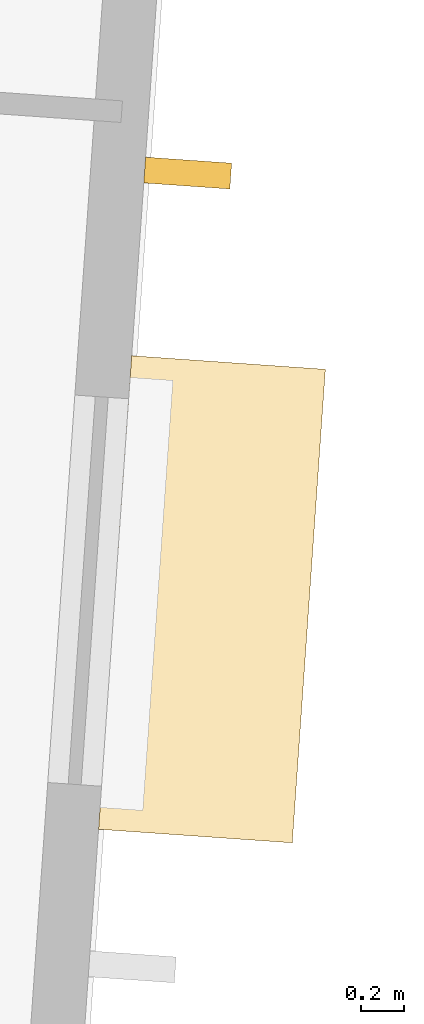
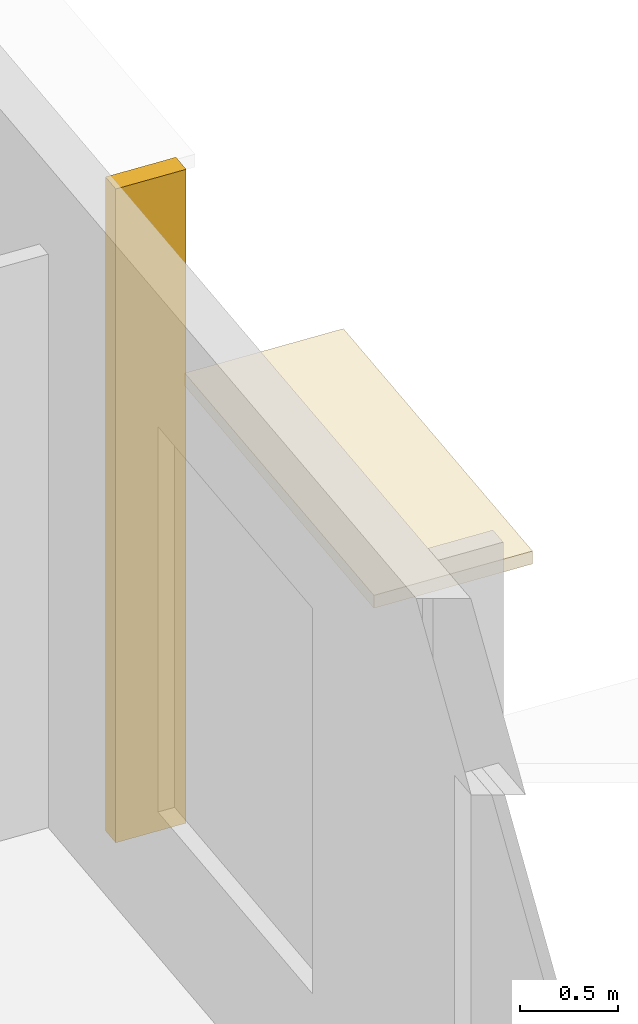
# One storey, part 55 of 58: 1 covering, 1 shading device.
"""IFC4 building model written with IfcOpenShell, lengths in metres."""

from ifc_helpers import new_model, si_unit, direction, frame, origin, place, context, subcontext, project, spatial, polyline, outline, extrude, material, layer, layer_set, type_object, element, save


model = new_model("IFC4")

# Units and contexts
model_context = context("Model", 3, precision=1e-05, world=origin(), true_north=direction((0.0, 1.0)))
body_context = subcontext(model_context, "Body", "Model", "MODEL_VIEW")
ifc_project = project(units=[si_unit("LENGTHUNIT", "METRE"), si_unit("AREAUNIT", "SQUARE_METRE"), si_unit("VOLUMEUNIT", "CUBIC_METRE"), si_unit("PLANEANGLEUNIT", "RADIAN"), si_unit("MASSUNIT", "GRAM", prefix="KILO")], contexts=[model_context])

# Site, building, storey
site_placement = place(None, origin())
site = spatial("IfcSite", under=ifc_project, at=site_placement, CompositionType="ELEMENT")
building_placement = place(site_placement, origin())
building = spatial("IfcBuilding", under=site, at=building_placement, Name="Windward Yard Aquatics Centre", CompositionType="ELEMENT")
storey_placement = place(building_placement, frame((0.0, 0.0, 13.800048828125)))
storey = spatial("IfcBuildingStorey", under=building, at=storey_placement, Name="L03", CompositionType="ELEMENT", Elevation=13.800048828125)

# Shading device
ifc_material_1 = material(Name="Timber-look aluminium batten, powder coated", Category="wood")
shading_device_type = type_object("IfcShadingDeviceType", Name="W vertical fin 120x400", PredefinedType="USERDEFINED", material=ifc_material_1)
shading_device_placement = place(storey_placement, origin())
element("IfcShadingDevice", 1, at=shading_device_placement, inside=storey, type_object=shading_device_type, Name="Vertical fin W.FW.L03.E.0.3.3.1", ObjectType="FIN", PredefinedType="USERDEFINED", context=body_context, shape_type="SweptSolid", body=[
    extrude(outline(polyline([(171.462890625, 120.013916015625), (171.47119140625, 120.133544921875), (171.8701171875, 120.105712890625), (171.86181640625, 119.98583984375), (171.462890625, 120.013916015625)])), origin(), (0.0, 0.0, 1.0), 4.070068359375),
])

# Covering
ifc_material_2 = material(Name="Aluminium composite hood, powder coated", Category="aluminium")
ifc_layer = layer(ifc_material_2, 0.080078125)
ifc_layer_set = layer_set([ifc_layer], Name="W window hood aluminium 2200x900")
covering_type = type_object("IfcCoveringType", Name="W window hood aluminium 2200x900", PredefinedType="CLADDING", material=ifc_layer_set)
covering_placement = place(storey_placement, frame((0.0, 0.0, 3.349853515625)))
element("IfcCovering", 2, at=covering_placement, inside=storey, type_object=covering_type, Name="Window hood W3518", PredefinedType="CLADDING", context=body_context, shape_type="SweptSolid", body=[
    extrude(outline(polyline([(171.25341796875, 117.0185546875), (171.40673828125, 119.21337890625), (172.3046875, 119.150390625), (172.151123046875, 116.955810546875), (171.25341796875, 117.0185546875)])), origin(), (0.0, 0.0, 1.0), 0.080078125),
])

save(model, "model.ifc")
